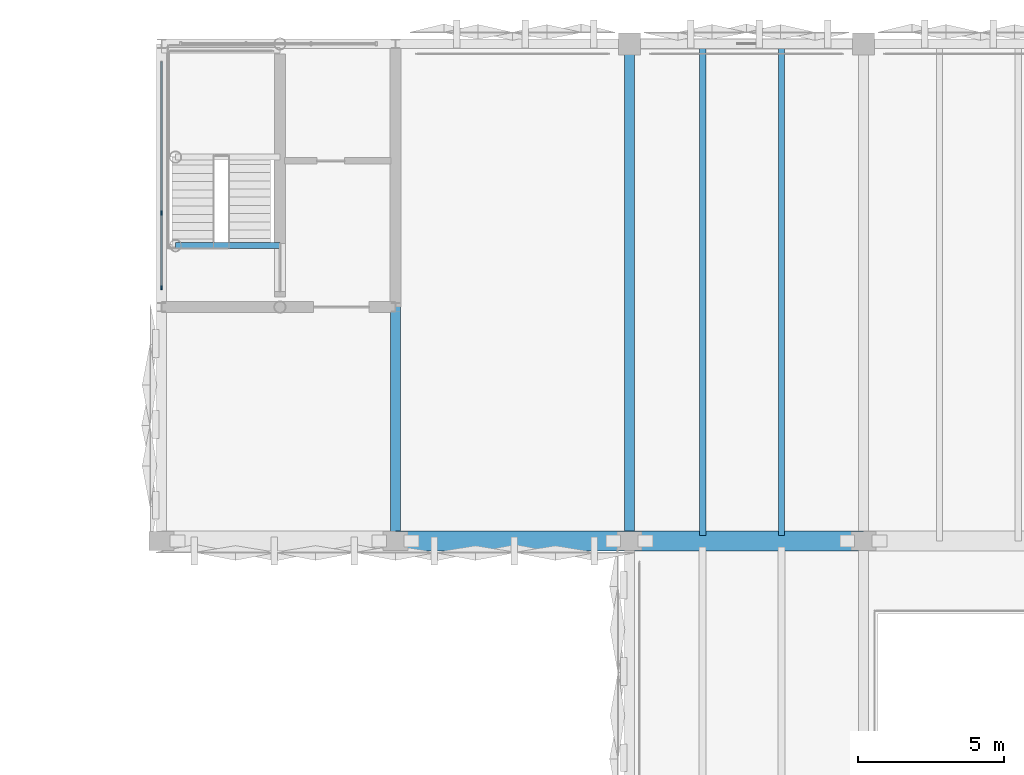
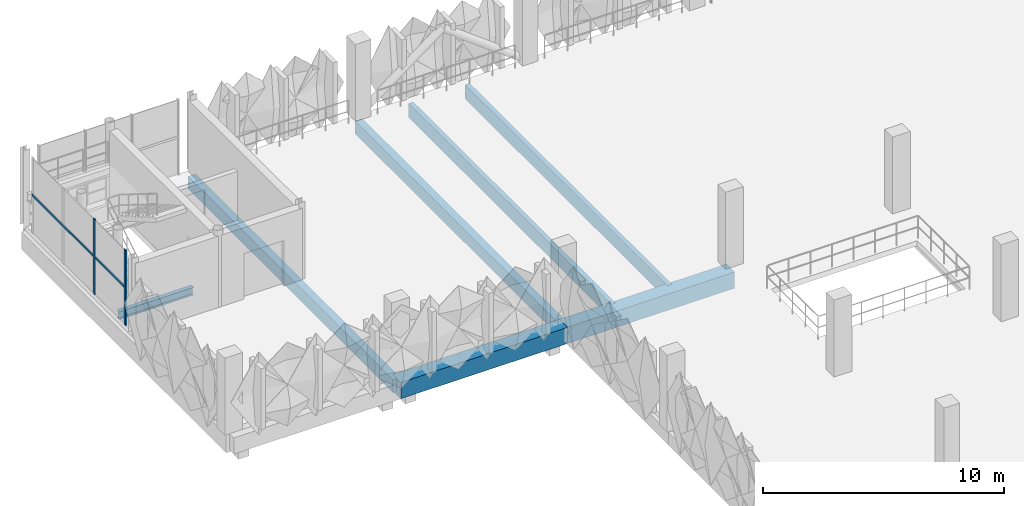
# One storey, part 13 of 76: 7 beams, 3 members, 1 element without a shape of its own.
"""IFC4 building model written with IfcOpenShell, lengths in metres."""

from ifc_helpers import new_model, si_unit, derived_unit, direction, frame, origin, origin_2d, place, context, subcontext, project, spatial, rectangle, i_section, extrude, material, layer, layer_set, material_profile, profile_set, type_object, element, aggregate, save


model = new_model("IFC4")

# Units and contexts
model_context = context("Model", 3, precision=1e-05, world=origin(), true_north=direction((0.0, 1.0)))
body_context = subcontext(model_context, "Body", "Model", "MODEL_VIEW")
ifc_project = project(units=[si_unit("LENGTHUNIT", "METRE"), si_unit("AREAUNIT", "SQUARE_METRE"), si_unit("VOLUMEUNIT", "CUBIC_METRE"), si_unit("PLANEANGLEUNIT", "RADIAN"), si_unit("MASSUNIT", "GRAM", prefix="KILO"), si_unit("THERMODYNAMICTEMPERATUREUNIT", "KELVIN"), derived_unit("THERMALTRANSMITTANCEUNIT", [(si_unit("POWERUNIT", "WATT"), 1), (si_unit("AREAUNIT", "SQUARE_METRE"), -1), (si_unit("THERMODYNAMICTEMPERATUREUNIT", "KELVIN"), -1)])], contexts=[model_context])

# Site, building, storey
site_placement = place(None, origin())
site = spatial("IfcSite", under=ifc_project, at=site_placement, CompositionType="ELEMENT")
building_placement = place(site_placement, origin())
building = spatial("IfcBuilding", under=site, at=building_placement, Name="Haiyu Intermodal Mobility Hub", CompositionType="ELEMENT")
storey_placement = place(building_placement, frame((0.0, 0.0, 17.300048828125)))
storey = spatial("IfcBuildingStorey", under=building, at=storey_placement, Name="L04", CompositionType="ELEMENT", Elevation=17.300048828125)

# Beams
ifc_material_1 = material(Name="Concrete C40", Category="concrete")
ifc_material_profile_1 = material_profile(ifc_material_1, rectangle(XDim=0.35009765625, YDim=0.64990234375, at=origin_2d()), Name="RCB350x650")
ifc_profile_set_1 = profile_set([ifc_material_profile_1], Name="Concrete C40")
beam_type_1 = type_object("IfcBeamType", Name="BM-CB04", PredefinedType="BEAM", material=ifc_profile_set_1)
for number, where, z_axis, x_axis, name in (
    (1, (30.0, 131.0, -0.60009765625), (0.0, 1.0, 0.0), (-1.0, 0.0, 0.0), "BM-V4E-L04-002"),
    (2, (38.0, 131.0, -0.60009765625), (0.0, 1.0, 0.0), (-1.0, 0.0, 0.0), "BM-V4E-L04-005"),
):
    element("IfcBeam", number, at=place(storey_placement, frame(where, z_axis=z_axis, x_axis=x_axis)), inside=storey, type_object=beam_type_1, Name=name, PredefinedType="BEAM", context=body_context, shape_type="SweptSolid", body=[
        extrude(rectangle(XDim=0.35009765625, YDim=0.64990234375, at=origin_2d()), origin(), (0.0, 0.0, 1.0), 17.0),
    ])
ifc_material_2 = material(Name="Precast concrete C50", Category="concrete")
ifc_material_profile_2 = material_profile(ifc_material_2, rectangle(XDim=0.219970703125, YDim=0.719970703125, at=origin_2d()), Name="PC220x720")
ifc_profile_set_2 = profile_set([ifc_material_profile_2], Name="Precast concrete C50")
beam_type_2 = type_object("IfcBeamType", Name="BM-DT02", PredefinedType="JOIST", material=ifc_profile_set_2)
for number, where, z_axis, x_axis, name in (
    (3, (40.5, 131.195068359375, -0.635009765625), (0.0, 1.0, 0.0), (-1.0, 0.0, 0.0), "BM-DT-L04-003"),
    (4, (43.199951171875, 131.195068359375, -0.635009765625), (0.0, 1.0, 0.0), (-1.0, 0.0, 0.0), "BM-DT-L04-006"),
):
    element("IfcBeam", number, at=place(storey_placement, frame(where, z_axis=z_axis, x_axis=x_axis)), inside=storey, type_object=beam_type_2, Name=name, PredefinedType="JOIST", context=body_context, shape_type="SweptSolid", body=[
        extrude(rectangle(XDim=0.219970703125, YDim=0.719970703125, at=origin_2d()), origin(), (0.0, 0.0, 1.0), 16.804931640625),
    ])
ifc_material_profile_3 = material_profile(ifc_material_2, rectangle(XDim=0.679931640625, YDim=0.820068359375, at=origin_2d()), Name="B680x820")
ifc_profile_set_3 = profile_set([ifc_material_profile_3], Name="Precast concrete C50")
beam_type_3 = type_object("IfcBeamType", Name="BM-IT05", PredefinedType="T_BEAM", material=ifc_profile_set_3)
for number, where, z_axis, x_axis, name in (
    (5, (30.0, 131.0, -0.68505859375), (1.0, 0.0, 0.0), (0.0, 1.0, 0.0), "BM-V4G-L04-026"),
    (6, (38.0, 131.0, -0.68505859375), (1.0, 0.0, 0.0), (0.0, 1.0, 0.0), "BM-V4G-L04-027"),
):
    element("IfcBeam", number, at=place(storey_placement, frame(where, z_axis=z_axis, x_axis=x_axis)), inside=storey, type_object=beam_type_3, Name=name, PredefinedType="T_BEAM", context=body_context, shape_type="SweptSolid", body=[
        extrude(rectangle(XDim=0.679931640625, YDim=0.820068359375, at=origin_2d()), origin(), (0.0, 0.0, 1.0), 8.0),
    ])
ifc_material_3 = material(Name="Steel Q355C", Category="steel")
ifc_material_profile_4 = material_profile(ifc_material_3, i_section(OverallWidth=0.199951171875, OverallDepth=0.39990234375, WebThickness=0.008056640625, FlangeThickness=0.012939453125, FilletRadius=0.01611328125, at=origin_2d()), Name="HN400x200x8x13")
ifc_profile_set_4 = profile_set([ifc_material_profile_4], Name="Steel Q355C")
beam_type_4 = type_object("IfcBeamType", Name="BM-SB08", PredefinedType="JOIST", material=ifc_profile_set_4)
beam_placement = place(storey_placement, frame((22.47998046875, 141.10009765625, -0.525146484375), z_axis=(1.0, 0.0, 0.0), x_axis=(0.0, 1.0, 0.0)))
element("IfcBeam", 7, at=beam_placement, inside=storey, type_object=beam_type_4, Name="Stair Arrival Trimmer Beam C3-L03", PredefinedType="JOIST", context=body_context, shape_type="SweptSolid", body=[
    extrude(i_section(OverallWidth=0.199951171875, OverallDepth=0.39990234375, WebThickness=0.008056640625, FlangeThickness=0.012939453125, FilletRadius=0.01611328125, at=origin_2d()), origin(), (0.0, 0.0, 1.0), 3.570068359375),
])

# Curtain wall, members
ifc_material_4 = material(Name="Low-e laminated insulating glass", Category="glass")
ifc_layer = layer(ifc_material_4, 0.199951171875)
ifc_layer_set = layer_set([ifc_layer], Name="Low-e laminated insulating glass")
curtain_wall_type = type_object("IfcCurtainWallType", Name="CW-CW03", PredefinedType="NOTDEFINED", material=ifc_layer_set)
curtain_wall_placement = place(storey_placement, origin())
curtain_wall = element("IfcCurtainWall", 8, at=curtain_wall_placement, inside=storey, type_object=curtain_wall_type, Name="Curtain Wall CW-C3S-L04-058", PredefinedType="NOTDEFINED")
ifc_material_5 = material(Name="Anodised aluminium 6063-T6", Category="aluminium")
ifc_material_profile_5 = material_profile(ifc_material_5, rectangle(XDim=0.06005859375, YDim=0.14501953125, at=origin_2d()), Name="ALU60x145")
ifc_profile_set_5 = profile_set([ifc_material_profile_5], Name="Anodised aluminium 6063-T6")
member_type_1 = type_object("IfcMemberType", Name="CWM-ML03", PredefinedType="MULLION", material=ifc_profile_set_5)
member_1_placement = place(storey_placement, frame((22.0, 142.219970703125, 0.0), z_axis=(0.0, 0.0, 1.0), x_axis=(1.0, 0.0, 0.0)))
member_1 = element("IfcMember", 9, at=member_1_placement, type_object=member_type_1, Name="CW-C3S-L04-058-ML03", PredefinedType="MULLION", context=body_context, shape_type="SweptSolid", body=[
    extrude(rectangle(XDim=0.06005859375, YDim=0.14501953125, at=origin_2d()), origin(), (0.0, 0.0, 1.0), 3.820068359375),
])
member_2_placement = place(storey_placement, frame((22.0, 139.659912109375, 0.0), z_axis=(0.0, 0.0, 1.0), x_axis=(1.0, 0.0, 0.0)))
member_2 = element("IfcMember", 10, at=member_2_placement, type_object=member_type_1, Name="CW-C3S-L04-058-ML04", PredefinedType="MULLION", context=body_context, shape_type="SweptSolid", body=[
    extrude(rectangle(XDim=0.06005859375, YDim=0.14501953125, at=origin_2d()), origin(), (0.0, 0.0, 1.0), 3.820068359375),
])
ifc_material_profile_6 = material_profile(ifc_material_5, rectangle(XDim=0.06005859375, YDim=0.114990234375, at=origin_2d()), Name="ALU60x115")
ifc_profile_set_6 = profile_set([ifc_material_profile_6], Name="Anodised aluminium 6063-T6")
member_type_2 = type_object("IfcMemberType", Name="CWM-TR03", PredefinedType="USERDEFINED", material=ifc_profile_set_6)
member_3_placement = place(storey_placement, frame((22.0, 147.3798828125, 1.909912109375), z_axis=(0.0, -1.0, 0.0), x_axis=(1.0, 0.0, 0.0)))
member_3 = element("IfcMember", 11, at=member_3_placement, type_object=member_type_2, Name="CW-C3S-L04-058-TR01", ObjectType="TRANSOM", PredefinedType="USERDEFINED", context=body_context, shape_type="SweptSolid", body=[
    extrude(rectangle(XDim=0.06005859375, YDim=0.114990234375, at=origin_2d()), origin(), (0.0, 0.0, 1.0), 7.759765625),
])
aggregate(curtain_wall, [member_1, member_2, member_3])

save(model, "model.ifc")
